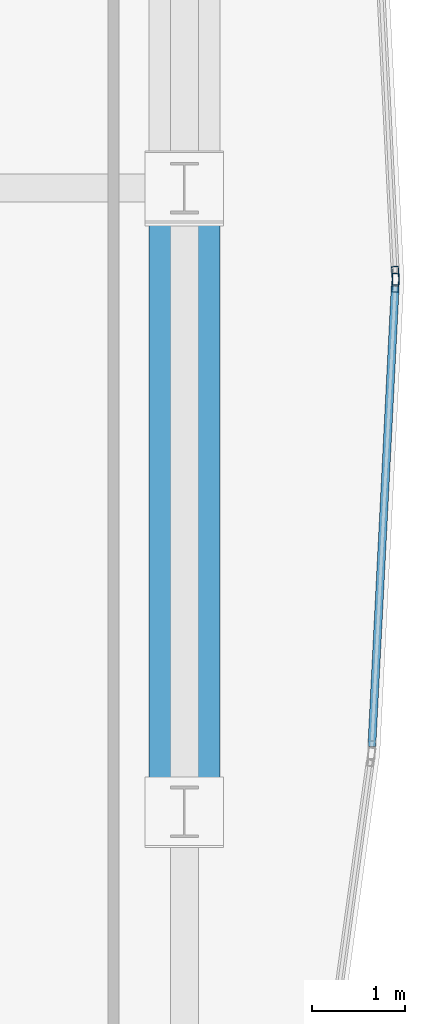
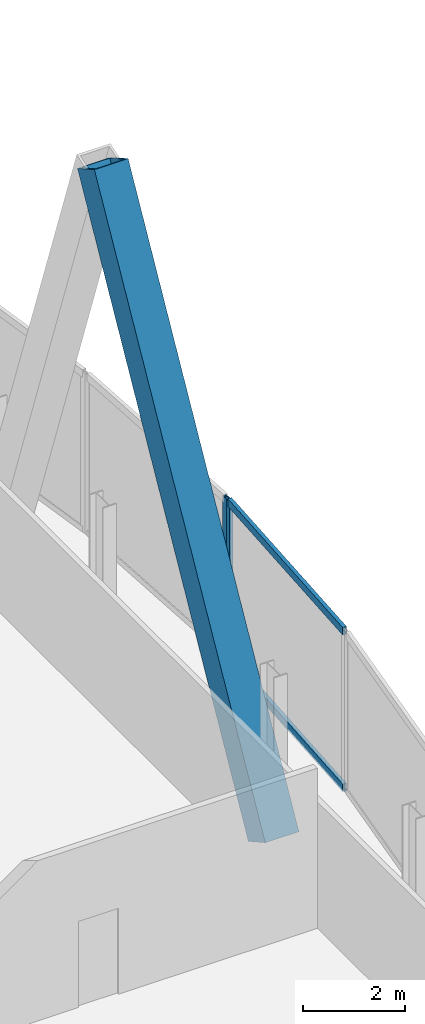
# One storey, part 23 of 37: 5 members, 2 elements without a shape of their own.
"""IFC4 building model written with IfcOpenShell, lengths in metres."""

from ifc_helpers import new_model, si_unit, direction, frame, origin, origin_2d, place, context, subcontext, project, spatial, hollow_rectangle, extrude, material, material_profile, profile_set, type_object, element, aggregate, save


model = new_model("IFC4")

# Units and contexts
model_context = context("Model", 3, precision=1e-05, world=origin(), true_north=direction((0.0, 1.0)))
body_context = subcontext(model_context, "Body", "Model", "MODEL_VIEW")
ifc_project = project(units=[si_unit("LENGTHUNIT", "METRE"), si_unit("AREAUNIT", "SQUARE_METRE"), si_unit("VOLUMEUNIT", "CUBIC_METRE"), si_unit("PLANEANGLEUNIT", "RADIAN"), si_unit("MASSUNIT", "GRAM", prefix="KILO")], contexts=[model_context])

# Site, building, storey
site_placement = place(None, origin())
site = spatial("IfcSite", under=ifc_project, at=site_placement, CompositionType="ELEMENT")
building_placement = place(site_placement, origin())
building = spatial("IfcBuilding", under=site, at=building_placement, Name="Khoronbel Lancet Exchange", CompositionType="ELEMENT")
storey_placement = place(building_placement, frame((0.0, 0.0, 61.800048828125)))
storey = spatial("IfcBuildingStorey", under=building, at=storey_placement, Name="L14", CompositionType="ELEMENT", Elevation=61.800048828125)

# Curtain wall, member
ifc_material_1 = material(Name="Low-E Solar Control Insulating Glass", Category="glass")
curtain_wall_type = type_object("IfcCurtainWallType", Name="CW-4", PredefinedType="NOTDEFINED", material=ifc_material_1)
curtain_wall_1_placement = place(storey_placement, origin())
curtain_wall_1 = element("IfcCurtainWall", 1, at=curtain_wall_1_placement, inside=storey, type_object=curtain_wall_type, Name="Unitised curtain wall CW-L14-E19", PredefinedType="NOTDEFINED")
ifc_material_2 = material(Name="Bronze-Anodised Aluminium 6063-T6", Category="aluminium")
ifc_material_profile_1 = material_profile(ifc_material_2, hollow_rectangle(XDim=0.074951171875, YDim=0.199951171875, WallThickness=0.0048828125, at=origin_2d()), Name="ALU MULLION 75x200")
ifc_profile_set_1 = profile_set([ifc_material_profile_1], Name="Bronze-Anodised Aluminium 6063-T6")
member_type_1 = type_object("IfcMemberType", Name="MEM-CWM2", PredefinedType="MULLION", material=ifc_profile_set_1)
member_1_placement = place(storey_placement, frame((73.888427734375, 30.487548828125, 0.0), z_axis=(0.0, 0.0, 1.0), x_axis=(0.998708178713, 0.050813125988, 0.0)))
member_1 = element("IfcMember", 2, at=member_1_placement, type_object=member_type_1, Name="CW4 mullion 2", PredefinedType="MULLION", context=body_context, shape_type="SweptSolid", body=[
    extrude(hollow_rectangle(XDim=0.074951171875, YDim=0.199951171875, WallThickness=0.0048828125, at=origin_2d()), origin(), (0.0, 0.0, 1.0), 3.820068359375),
])
aggregate(curtain_wall_1, [member_1])

# Curtain wall, members
curtain_wall_2_placement = place(storey_placement, origin())
curtain_wall_2 = element("IfcCurtainWall", 3, at=curtain_wall_2_placement, inside=storey, type_object=curtain_wall_type, Name="Unitised curtain wall CW-L14-E20", PredefinedType="NOTDEFINED")
member_2_placement = place(storey_placement, frame((73.888427734375, 30.41259765625, 0.0), z_axis=(0.0, 0.0, 1.0), x_axis=(0.998708178713, -0.050813125988, 0.0)))
member_2 = element("IfcMember", 4, at=member_2_placement, type_object=member_type_1, Name="CW4 mullion 1", PredefinedType="MULLION", context=body_context, shape_type="SweptSolid", body=[
    extrude(hollow_rectangle(XDim=0.074951171875, YDim=0.199951171875, WallThickness=0.0048828125, at=origin_2d()), origin(), (0.0, 0.0, 1.0), 3.820068359375),
])
ifc_material_profile_2 = material_profile(ifc_material_2, hollow_rectangle(XDim=0.0849609375, YDim=0.179931640625, WallThickness=0.0048828125, at=origin_2d()), Name="ALU TRANSOM 85x180")
ifc_profile_set_2 = profile_set([ifc_material_profile_2], Name="Bronze-Anodised Aluminium 6063-T6")
member_type_2 = type_object("IfcMemberType", Name="MEM-CWT1", PredefinedType="USERDEFINED", material=ifc_profile_set_2)
member_3_placement = place(storey_placement, frame((73.886474609375, 30.375, 0.04248046875), z_axis=(-0.050796918367, -0.998709003206, 0.0), x_axis=(0.998709003206, -0.050796918367, 0.0)))
member_3 = element("IfcMember", 5, at=member_3_placement, type_object=member_type_2, Name="CW4 transom 1.1", ObjectType="TRANSOM", PredefinedType="USERDEFINED", context=body_context, shape_type="SweptSolid", body=[
    extrude(hollow_rectangle(XDim=0.0849609375, YDim=0.179931640625, WallThickness=0.0048828125, at=origin_2d()), origin(), (0.0, 0.0, 1.0), 4.93115234375),
])
member_4_placement = place(storey_placement, frame((73.886474609375, 30.375, 3.77734375), z_axis=(-0.050796918367, -0.998709003206, 0.0), x_axis=(0.998709003206, -0.050796918367, 0.0)))
member_4 = element("IfcMember", 6, at=member_4_placement, type_object=member_type_2, Name="CW4 transom 1.2", ObjectType="TRANSOM", PredefinedType="USERDEFINED", context=body_context, shape_type="SweptSolid", body=[
    extrude(hollow_rectangle(XDim=0.0849609375, YDim=0.179931640625, WallThickness=0.0048828125, at=origin_2d()), origin(), (0.0, 0.0, 1.0), 4.93115234375),
])
aggregate(curtain_wall_2, [member_2, member_3, member_4])

# Member
ifc_material_3 = material(Name="Steel S460", Category="steel")
ifc_material_profile_3 = material_profile(ifc_material_3, hollow_rectangle(XDim=0.760009765625, YDim=0.760009765625, WallThickness=0.054931640625, at=origin_2d()), Name="BOX 760x760x55")
ifc_profile_set_3 = profile_set([ifc_material_profile_3], Name="Steel S460")
member_type_3 = type_object("IfcMemberType", Name="MEM-MB1", PredefinedType="BRACE", material=ifc_profile_set_3)
member_5_placement = place(storey_placement, frame((71.6298828125, 24.75, 0.0), z_axis=(0.0, 0.486109322328, 0.873898007061), x_axis=(-1.0, 0.0, 0.0)))
element("IfcMember", 7, at=member_5_placement, inside=storey, type_object=member_type_3, Name="Perimeter lancet brace tier 4 E-P-L", PredefinedType="BRACE", context=body_context, shape_type="SweptSolid", body=[
    extrude(hollow_rectangle(XDim=0.760009765625, YDim=0.760009765625, WallThickness=0.054931640625, at=origin_2d()), origin(), (0.0, 0.0, 1.0), 13.731689453125),
])

save(model, "model.ifc")
